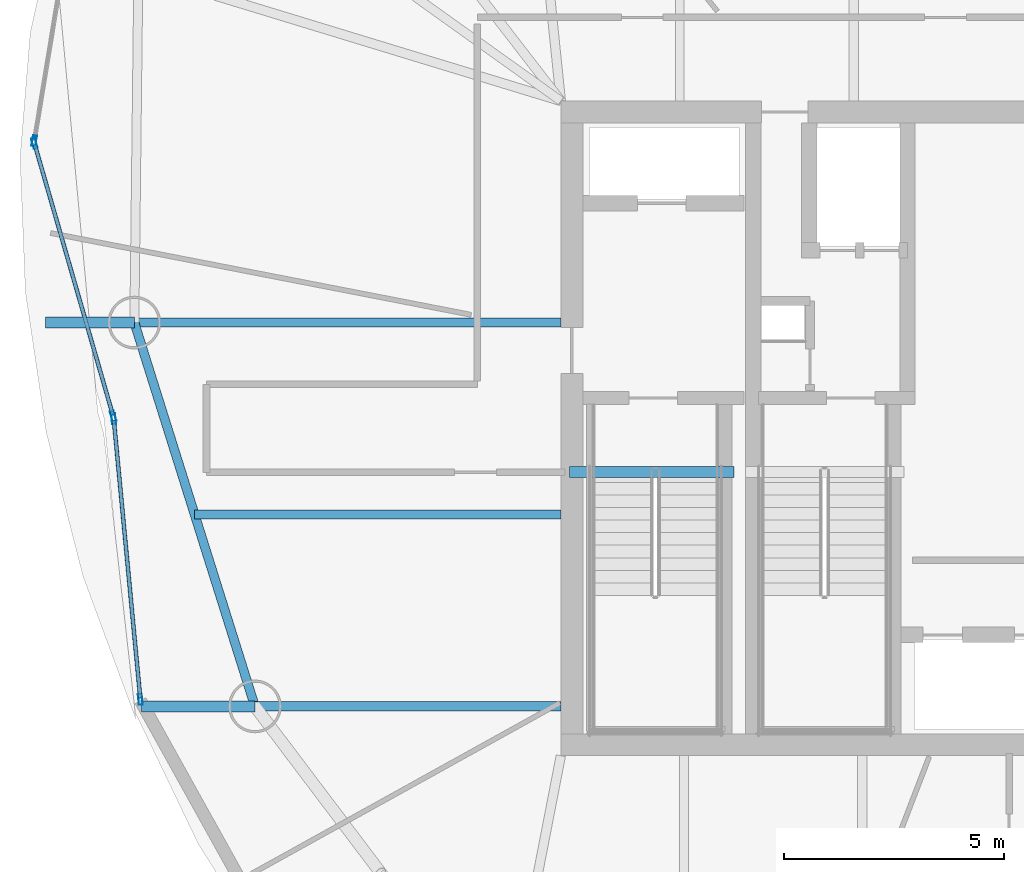
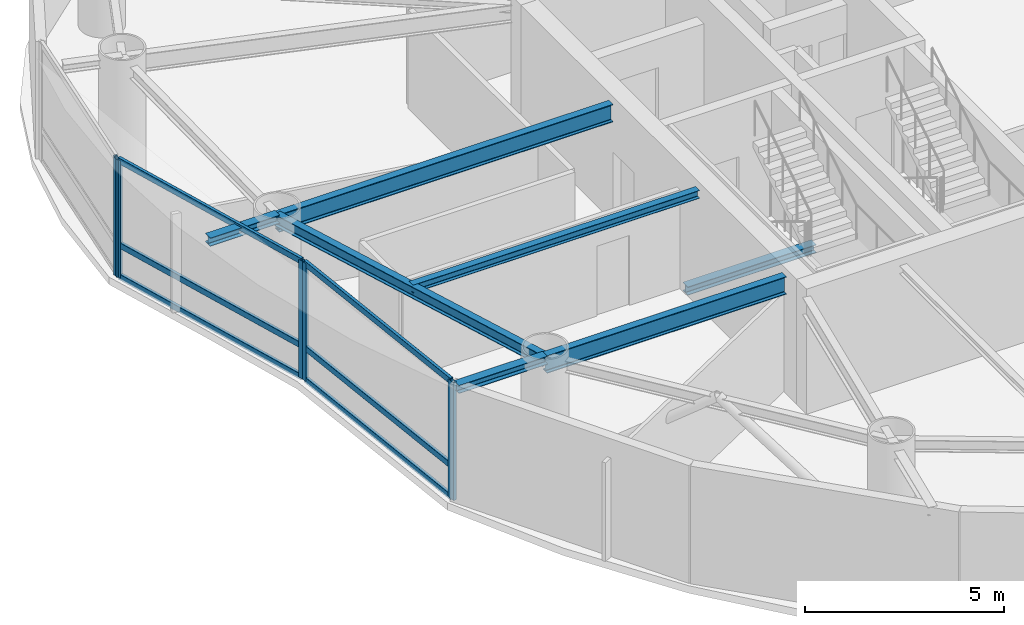
# One storey, part 4 of 21: 11 members, 7 beams, 3 elements without a shape of their own.
"""IFC4 building model written with IfcOpenShell, lengths in metres."""

from ifc_helpers import new_model, si_unit, direction, frame, origin, origin_2d, place, context, subcontext, project, spatial, hollow_rectangle, i_section, extrude, material, layer, layer_set, material_profile, profile_set, type_object, element, aggregate, save


model = new_model("IFC4")

# Units and contexts
model_context = context("Model", 3, precision=1e-05, world=origin(), true_north=direction((0.0, 1.0)))
body_context = subcontext(model_context, "Body", "Model", "MODEL_VIEW")
ifc_project = project(units=[si_unit("LENGTHUNIT", "METRE"), si_unit("AREAUNIT", "SQUARE_METRE"), si_unit("VOLUMEUNIT", "CUBIC_METRE"), si_unit("PLANEANGLEUNIT", "RADIAN"), si_unit("MASSUNIT", "GRAM", prefix="KILO")], contexts=[model_context])

# Site, building, storey
site_placement = place(None, origin())
site = spatial("IfcSite", under=ifc_project, at=site_placement, CompositionType="ELEMENT")
building_placement = place(site_placement, origin())
building = spatial("IfcBuilding", under=site, at=building_placement, Name="Bramvorn Convention Spire", CompositionType="ELEMENT")
storey_placement = place(building_placement, frame((0.0, 0.0, 186.60009765625)))
storey = spatial("IfcBuildingStorey", under=building, at=storey_placement, Name="L47", CompositionType="ELEMENT", Elevation=186.60009765625)

# Beams
ifc_material_1 = material(Name="Steel CSA G40.21 Grade 350 (350W)", Category="steel")
ifc_material_profile_1 = material_profile(ifc_material_1, i_section(OverallWidth=0.201904296875, OverallDepth=0.2470703125, WebThickness=0.00732421875, FlangeThickness=0.010986328125, FilletRadius=0.011962890625, at=origin_2d()))
ifc_profile_set_1 = profile_set([ifc_material_profile_1], Name="Steel CSA G40.21 Grade 350 (350W) - W250X49")
beam_type_1 = type_object("IfcBeamType", Name="BM-W250X49", PredefinedType="JOIST", material=ifc_profile_set_1)
beam_1_placement = place(storey_placement, frame((26.75, 24.039794921875, 3.496337890625), z_axis=(-1.0, 0.0, 0.0), x_axis=(0.0, -1.0, 0.0)))
element("IfcBeam", 1, at=beam_1_placement, inside=storey, type_object=beam_type_1, Name="L47 composite floor joist 11", PredefinedType="JOIST", context=body_context, shape_type="SweptSolid", body=[
    extrude(i_section(OverallWidth=0.201904296875, OverallDepth=0.2470703125, WebThickness=0.00732421875, FlangeThickness=0.010986328125, FilletRadius=0.011962890625, at=origin_2d()), origin(), (0.0, 0.0, 1.0), 8.33251953125),
])
ifc_material_profile_2 = material_profile(ifc_material_1, i_section(OverallWidth=0.25390625, OverallDepth=0.2529296875, WebThickness=0.008544921875, FlangeThickness=0.01416015625, FilletRadius=0.011962890625, at=origin_2d()))
ifc_profile_set_2 = profile_set([ifc_material_profile_2], Name="Steel CSA G40.21 Grade 350 (350W) - W250X73")
beam_type_2 = type_object("IfcBeamType", Name="BM-W250X73", PredefinedType="BEAM", material=ifc_profile_set_2)
beam_2_placement = place(storey_placement, frame((17.04541015625, 28.406494140625, 3.493408203125), z_axis=(-1.0, 0.0, 0.0), x_axis=(0.0, -1.0, 0.0)))
element("IfcBeam", 2, at=beam_2_placement, inside=storey, type_object=beam_type_2, Name="L47 slab-edge cantilever tip beam MC11", PredefinedType="BEAM", context=body_context, shape_type="SweptSolid", body=[
    extrude(i_section(OverallWidth=0.25390625, OverallDepth=0.2529296875, WebThickness=0.008544921875, FlangeThickness=0.01416015625, FilletRadius=0.011962890625, at=origin_2d()), origin(), (0.0, 0.0, 1.0), 2.01904296875),
])
beam_3_placement = place(storey_placement, frame((19.78955078125, 19.672607421875, 3.493408203125), z_axis=(-1.0, 0.0, 0.0), x_axis=(0.0, -1.0, 0.0)))
element("IfcBeam", 3, at=beam_3_placement, inside=storey, type_object=beam_type_2, Name="L47 slab-edge cantilever tip beam MC12", PredefinedType="BEAM", context=body_context, shape_type="SweptSolid", body=[
    extrude(i_section(OverallWidth=0.25390625, OverallDepth=0.2529296875, WebThickness=0.008544921875, FlangeThickness=0.01416015625, FilletRadius=0.011962890625, at=origin_2d()), origin(), (0.0, 0.0, 1.0), 2.578369140625),
])
beam_4_placement = place(storey_placement, frame((26.949951171875, 25.010009765625, -0.126708984375), z_axis=(1.0, 0.0, 0.0), x_axis=(0.0, 1.0, 0.0)))
element("IfcBeam", 4, at=beam_4_placement, inside=storey, type_object=beam_type_2, Name="L47 ST1 stair arrival header beam", PredefinedType="BEAM", context=body_context, shape_type="SweptSolid", body=[
    extrude(i_section(OverallWidth=0.25390625, OverallDepth=0.2529296875, WebThickness=0.008544921875, FlangeThickness=0.01416015625, FilletRadius=0.011962890625, at=origin_2d()), origin(), (0.0, 0.0, 1.0), 3.739990234375),
])
ifc_material_profile_3 = material_profile(ifc_material_1, i_section(OverallWidth=0.205078125, OverallDepth=0.35400390625, WebThickness=0.009521484375, FlangeThickness=0.016845703125, FilletRadius=0.014892578125, at=origin_2d()))
ifc_profile_set_3 = profile_set([ifc_material_profile_3], Name="Steel CSA G40.21 Grade 350 (350W) - W360X79")
beam_type_3 = type_object("IfcBeamType", Name="BM-W360X79", PredefinedType="JOIST", material=ifc_profile_set_3)
beam_5_placement = place(storey_placement, frame((17.04541015625, 28.406494140625, 3.44287109375), z_axis=(0.299747542929, -0.954018558786, 0.0), x_axis=(0.954018558786, 0.299747542929, 0.0)))
element("IfcBeam", 5, at=beam_5_placement, inside=storey, type_object=beam_type_3, Name="L47 mega-column ring beam 11", PredefinedType="JOIST", context=body_context, shape_type="SweptSolid", body=[
    extrude(i_section(OverallWidth=0.205078125, OverallDepth=0.35400390625, WebThickness=0.009521484375, FlangeThickness=0.016845703125, FilletRadius=0.014892578125, at=origin_2d()), origin(), (0.0, 0.0, 1.0), 9.15478515625),
])
ifc_material_profile_4 = material_profile(ifc_material_1, i_section(OverallWidth=0.2119140625, OverallDepth=0.5439453125, WebThickness=0.01318359375, FlangeThickness=0.021240234375, FilletRadius=0.01904296875, at=origin_2d()))
ifc_profile_set_4 = profile_set([ifc_material_profile_4], Name="Steel CSA G40.21 Grade 350 (350W) - W530X123")
beam_type_4 = type_object("IfcBeamType", Name="BM-W530X123", PredefinedType="BEAM", material=ifc_profile_set_4)
beam_6_placement = place(storey_placement, frame((26.75, 28.406494140625, 3.347900390625), z_axis=(-1.0, 0.0, 0.0), x_axis=(0.0, -1.0, 0.0)))
element("IfcBeam", 6, at=beam_6_placement, inside=storey, type_object=beam_type_4, Name="L47 radial floor girder MC11", PredefinedType="BEAM", context=body_context, shape_type="SweptSolid", body=[
    extrude(i_section(OverallWidth=0.2119140625, OverallDepth=0.5439453125, WebThickness=0.01318359375, FlangeThickness=0.021240234375, FilletRadius=0.01904296875, at=origin_2d()), origin(), (0.0, 0.0, 1.0), 9.70458984375),
])
beam_7_placement = place(storey_placement, frame((26.75, 19.672607421875, 3.347900390625), z_axis=(-1.0, 0.0, 0.0), x_axis=(0.0, -1.0, 0.0)))
element("IfcBeam", 7, at=beam_7_placement, inside=storey, type_object=beam_type_4, Name="L47 radial floor girder MC12", PredefinedType="BEAM", context=body_context, shape_type="SweptSolid", body=[
    extrude(i_section(OverallWidth=0.2119140625, OverallDepth=0.5439453125, WebThickness=0.01318359375, FlangeThickness=0.021240234375, FilletRadius=0.01904296875, at=origin_2d()), origin(), (0.0, 0.0, 1.0), 6.96044921875),
])

# Curtain wall, member
ifc_material_2 = material(Name="Anodised Bronze Unitised Curtain Wall", Category="aluminium")
ifc_layer = layer(ifc_material_2, 0.219970703125)
ifc_layer_set = layer_set([ifc_layer], Name="Anodised Bronze Unitised Curtain Wall - CW-SKYGARDEN")
curtain_wall_type = type_object("IfcCurtainWallType", Name="CW-SKYGARDEN", PredefinedType="USERDEFINED", material=ifc_layer_set)
curtain_wall_1_placement = place(storey_placement, origin())
curtain_wall_1 = element("IfcCurtainWall", 8, at=curtain_wall_1_placement, inside=storey, type_object=curtain_wall_type, Name="L47 Sky Garden glazed facade 14", ObjectType="WINTER GARDEN GLAZING", PredefinedType="USERDEFINED")
ifc_material_3 = material(Name="Anodised Bronze Aluminium 6063-T6", Category="aluminium")
ifc_material_profile_5 = material_profile(ifc_material_3, hollow_rectangle(XDim=0.090087890625, YDim=0.239990234375, WallThickness=0.00439453125, InnerFilletRadius=0.0009765625, OuterFilletRadius=0.00439453125, at=origin_2d()))
ifc_profile_set_5 = profile_set([ifc_material_profile_5], Name="Anodised Bronze Aluminium 6063-T6 - CWM90X240")
member_type_1 = type_object("IfcMemberType", Name="CW-MUL-220", PredefinedType="MULLION", material=ifc_profile_set_5)
member_1_placement = place(storey_placement, frame((14.768310546875, 32.54248046875, 0.0), z_axis=(0.0, 0.0, 1.0), x_axis=(-0.986584171188, 0.163253401683, 0.0)))
member_1 = element("IfcMember", 9, at=member_1_placement, type_object=member_type_1, Name="CW4 mullion 1", PredefinedType="MULLION", context=body_context, shape_type="SweptSolid", body=[
    extrude(hollow_rectangle(XDim=0.090087890625, YDim=0.239990234375, WallThickness=0.00439453125, InnerFilletRadius=0.0009765625, OuterFilletRadius=0.00439453125, at=origin_2d()), origin(), (0.0, 0.0, 1.0), 3.619873046875),
])
aggregate(curtain_wall_1, [member_1])

# Curtain wall, members
curtain_wall_2_placement = place(storey_placement, origin())
curtain_wall_2 = element("IfcCurtainWall", 10, at=curtain_wall_2_placement, inside=storey, type_object=curtain_wall_type, Name="L47 Sky Garden glazed facade 15", ObjectType="WINTER GARDEN GLAZING", PredefinedType="USERDEFINED")
member_2_placement = place(storey_placement, frame((16.564697265625, 26.2763671875, 0.0), z_axis=(0.0, 0.0, 1.0), x_axis=(-0.960726629264, -0.277496565426, 0.0)))
member_2 = element("IfcMember", 11, at=member_2_placement, type_object=member_type_1, Name="CW4 mullion 1", PredefinedType="MULLION", context=body_context, shape_type="SweptSolid", body=[
    extrude(hollow_rectangle(XDim=0.090087890625, YDim=0.239990234375, WallThickness=0.00439453125, InnerFilletRadius=0.0009765625, OuterFilletRadius=0.00439453125, at=origin_2d()), origin(), (0.0, 0.0, 1.0), 3.619873046875),
])
member_3_placement = place(storey_placement, frame((14.771728515625, 32.484130859375, 0.0), z_axis=(0.0, 0.0, 1.0), x_axis=(-0.960726629264, -0.277496565426, 0.0)))
member_3 = element("IfcMember", 12, at=member_3_placement, type_object=member_type_1, Name="CW4 mullion 2", PredefinedType="MULLION", context=body_context, shape_type="SweptSolid", body=[
    extrude(hollow_rectangle(XDim=0.090087890625, YDim=0.239990234375, WallThickness=0.00439453125, InnerFilletRadius=0.0009765625, OuterFilletRadius=0.00439453125, at=origin_2d()), origin(), (0.0, 0.0, 1.0), 3.619873046875),
])

curtain_wall_3_placement = place(storey_placement, origin())
curtain_wall_3 = element("IfcCurtainWall", 13, at=curtain_wall_3_placement, inside=storey, type_object=curtain_wall_type, Name="L47 Sky Garden glazed facade 16", ObjectType="WINTER GARDEN GLAZING", PredefinedType="USERDEFINED")
member_4_placement = place(storey_placement, frame((17.183349609375, 19.8310546875, 0.0), z_axis=(0.0, 0.0, 1.0), x_axis=(-0.995509204557, -0.094664796218, 0.0)))
member_4 = element("IfcMember", 14, at=member_4_placement, type_object=member_type_1, Name="CW4 mullion 1", PredefinedType="MULLION", context=body_context, shape_type="SweptSolid", body=[
    extrude(hollow_rectangle(XDim=0.090087890625, YDim=0.239990234375, WallThickness=0.00439453125, InnerFilletRadius=0.0009765625, OuterFilletRadius=0.00439453125, at=origin_2d()), origin(), (0.0, 0.0, 1.0), 3.619873046875),
])
member_5_placement = place(storey_placement, frame((16.575927734375, 26.2177734375, 0.0), z_axis=(0.0, 0.0, 1.0), x_axis=(-0.995509204557, -0.094664796218, 0.0)))
member_5 = element("IfcMember", 15, at=member_5_placement, type_object=member_type_1, Name="CW4 mullion 2", PredefinedType="MULLION", context=body_context, shape_type="SweptSolid", body=[
    extrude(hollow_rectangle(XDim=0.090087890625, YDim=0.239990234375, WallThickness=0.00439453125, InnerFilletRadius=0.0009765625, OuterFilletRadius=0.00439453125, at=origin_2d()), origin(), (0.0, 0.0, 1.0), 3.619873046875),
])

# Member
ifc_material_profile_6 = material_profile(ifc_material_3, hollow_rectangle(XDim=0.090087890625, YDim=0.179931640625, WallThickness=0.00439453125, InnerFilletRadius=0.0009765625, OuterFilletRadius=0.00439453125, at=origin_2d()))
ifc_profile_set_6 = profile_set([ifc_material_profile_6], Name="Anodised Bronze Aluminium 6063-T6 - CWT90X180")
member_type_2 = type_object("IfcMemberType", Name="CW-TRN-180", PredefinedType="USERDEFINED", material=ifc_profile_set_6)
member_6_placement = place(storey_placement, frame((16.556396484375, 26.30517578125, 0.02978515625), z_axis=(-0.277490372346, 0.960728418053, 0.0), x_axis=(-0.960728418053, -0.277490372346, 0.0)))
member_6 = element("IfcMember", 16, at=member_6_placement, type_object=member_type_2, Name="CW4 transom 1.1", ObjectType="TRANSOM", PredefinedType="USERDEFINED", context=body_context, shape_type="SweptSolid", body=[
    extrude(hollow_rectangle(XDim=0.090087890625, YDim=0.179931640625, WallThickness=0.00439453125, InnerFilletRadius=0.0009765625, OuterFilletRadius=0.00439453125, at=origin_2d()), origin(), (0.0, 0.0, 1.0), 6.401611328125),
])

member_7_placement = place(storey_placement, frame((16.556396484375, 26.30517578125, 1.0), z_axis=(-0.277490372346, 0.960728418053, 0.0), x_axis=(-0.960728418053, -0.277490372346, 0.0)))
member_7 = element("IfcMember", 17, at=member_7_placement, type_object=member_type_2, Name="CW4 transom 1.2", ObjectType="TRANSOM", PredefinedType="USERDEFINED", context=body_context, shape_type="SweptSolid", body=[
    extrude(hollow_rectangle(XDim=0.090087890625, YDim=0.179931640625, WallThickness=0.00439453125, InnerFilletRadius=0.0009765625, OuterFilletRadius=0.00439453125, at=origin_2d()), origin(), (0.0, 0.0, 1.0), 6.401611328125),
])

member_8_placement = place(storey_placement, frame((16.556396484375, 26.30517578125, 3.58984375), z_axis=(-0.277490372346, 0.960728418053, 0.0), x_axis=(-0.960728418053, -0.277490372346, 0.0)))
member_8 = element("IfcMember", 18, at=member_8_placement, type_object=member_type_2, Name="CW4 transom 1.3", ObjectType="TRANSOM", PredefinedType="USERDEFINED", context=body_context, shape_type="SweptSolid", body=[
    extrude(hollow_rectangle(XDim=0.090087890625, YDim=0.179931640625, WallThickness=0.00439453125, InnerFilletRadius=0.0009765625, OuterFilletRadius=0.00439453125, at=origin_2d()), origin(), (0.0, 0.0, 1.0), 6.401611328125),
])

aggregate(curtain_wall_2, [member_2, member_3, member_6, member_7, member_8])

member_9_placement = place(storey_placement, frame((17.180419921875, 19.86083984375, 0.02978515625), z_axis=(-0.094649569664, 0.99551065236, 0.0), x_axis=(-0.99551065236, -0.094649569664, 0.0)))
member_9 = element("IfcMember", 19, at=member_9_placement, type_object=member_type_2, Name="CW4 transom 1.1", ObjectType="TRANSOM", PredefinedType="USERDEFINED", context=body_context, shape_type="SweptSolid", body=[
    extrude(hollow_rectangle(XDim=0.090087890625, YDim=0.179931640625, WallThickness=0.00439453125, InnerFilletRadius=0.0009765625, OuterFilletRadius=0.00439453125, at=origin_2d()), origin(), (0.0, 0.0, 1.0), 6.355712890625),
])

member_10_placement = place(storey_placement, frame((17.180419921875, 19.86083984375, 1.0), z_axis=(-0.094649569664, 0.99551065236, 0.0), x_axis=(-0.99551065236, -0.094649569664, 0.0)))
member_10 = element("IfcMember", 20, at=member_10_placement, type_object=member_type_2, Name="CW4 transom 1.2", ObjectType="TRANSOM", PredefinedType="USERDEFINED", context=body_context, shape_type="SweptSolid", body=[
    extrude(hollow_rectangle(XDim=0.090087890625, YDim=0.179931640625, WallThickness=0.00439453125, InnerFilletRadius=0.0009765625, OuterFilletRadius=0.00439453125, at=origin_2d()), origin(), (0.0, 0.0, 1.0), 6.355712890625),
])

member_11_placement = place(storey_placement, frame((17.180419921875, 19.86083984375, 3.58984375), z_axis=(-0.094649569664, 0.99551065236, 0.0), x_axis=(-0.99551065236, -0.094649569664, 0.0)))
member_11 = element("IfcMember", 21, at=member_11_placement, type_object=member_type_2, Name="CW4 transom 1.3", ObjectType="TRANSOM", PredefinedType="USERDEFINED", context=body_context, shape_type="SweptSolid", body=[
    extrude(hollow_rectangle(XDim=0.090087890625, YDim=0.179931640625, WallThickness=0.00439453125, InnerFilletRadius=0.0009765625, OuterFilletRadius=0.00439453125, at=origin_2d()), origin(), (0.0, 0.0, 1.0), 6.355712890625),
])

aggregate(curtain_wall_3, [member_4, member_5, member_9, member_10, member_11])

save(model, "model.ifc")
